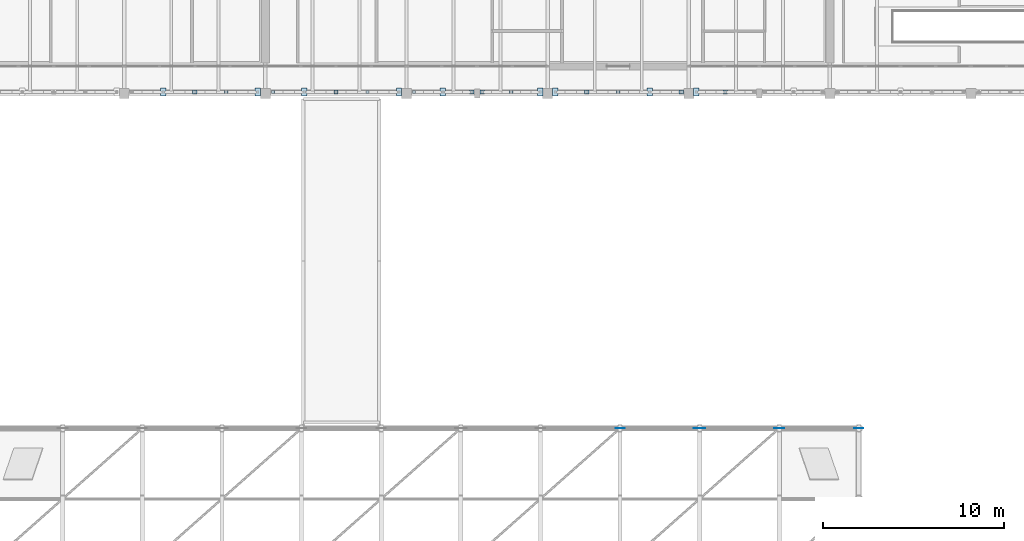
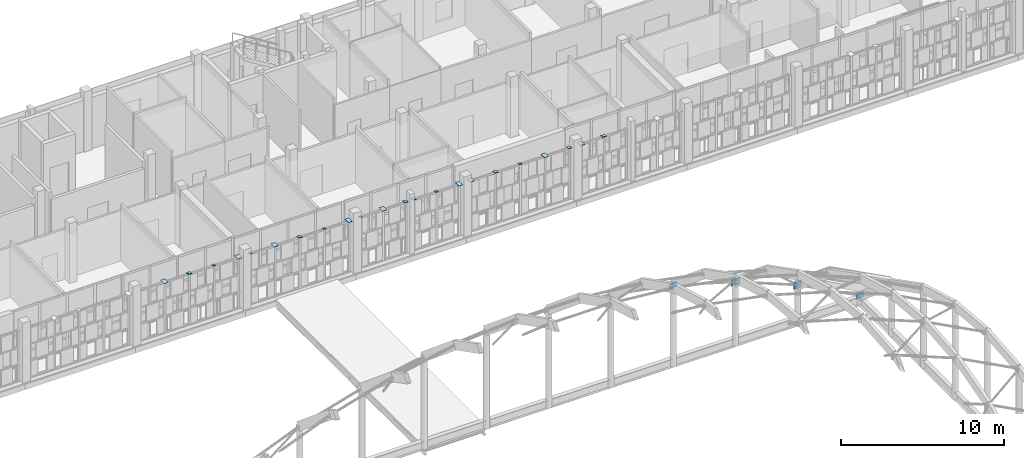
# One storey, part 82 of 119: 26 plates.
"""IFC4 building model written with IfcOpenShell, lengths in metres."""

from ifc_helpers import new_model, si_unit, direction, frame, origin, origin_2d, place, context, subcontext, project, spatial, rectangle, extrude, material, layer, layer_set, type_object, element, save


model = new_model("IFC4")

# Units and contexts
model_context = context("Model", 3, precision=1e-05, world=origin(), true_north=direction((0.0, 1.0)))
body_context = subcontext(model_context, "Body", "Model", "MODEL_VIEW")
ifc_project = project(units=[si_unit("LENGTHUNIT", "METRE"), si_unit("AREAUNIT", "SQUARE_METRE"), si_unit("VOLUMEUNIT", "CUBIC_METRE"), si_unit("PLANEANGLEUNIT", "RADIAN"), si_unit("MASSUNIT", "GRAM", prefix="KILO")], contexts=[model_context])

# Site, building, storey
site_placement = place(None, origin())
site = spatial("IfcSite", under=ifc_project, at=site_placement, CompositionType="ELEMENT")
building_placement = place(site_placement, origin())
building = spatial("IfcBuilding", under=site, at=building_placement, Name="Celorna Specialist Clinic", CompositionType="ELEMENT")
storey_placement = place(building_placement, frame((0.0, 0.0, 9.60009765625)))
storey = spatial("IfcBuildingStorey", under=building, at=storey_placement, Name="L02", CompositionType="ELEMENT", Elevation=9.60009765625)

# Plates
ifc_material = material(Name="Steel S355", Category="steel")
ifc_layer_1 = layer(ifc_material, 0.011962890625, Name="Steel S355")
ifc_layer_set_1 = layer_set([ifc_layer_1], Name="Steel S355")
plate_type_1 = type_object("IfcPlateType", Name="EP-06", PredefinedType="SHEET", material=ifc_layer_set_1)
for number, where, z_axis, x_axis, name in (
    (1, (68.04248046875, 96.580078125, 3.83984375), (0.0, 0.0, 1.0), (1.0, 0.0, 0.0), "Screen post cap plate EP-06 #1041"),
    (2, (70.614990234375, 96.580078125, 3.83984375), (0.0, 0.0, 1.0), (1.0, 0.0, 0.0), "Screen post cap plate EP-06 #1059"),
    (3, (75.842529296875, 96.580078125, 3.83984375), (0.0, 0.0, 1.0), (1.0, 0.0, 0.0), "Screen post cap plate EP-06 #1062"),
    (4, (78.4150390625, 96.580078125, 3.83984375), (0.0, 0.0, 1.0), (1.0, 0.0, 0.0), "Screen post cap plate EP-06 #1080"),
    (5, (83.78759765625, 96.580078125, 3.83984375), (0.0, 0.0, 1.0), (1.0, 0.0, 0.0), "Screen post cap plate EP-06 #1092"),
    (6, (89.699951171875, 96.580078125, 3.83984375), (0.0, 0.0, 1.0), (1.0, 0.0, 0.0), "Screen post cap plate EP-06 #1104"),
):
    element("IfcPlate", number, at=place(storey_placement, frame(where, z_axis=z_axis, x_axis=x_axis)), inside=storey, type_object=plate_type_1, Name=name, PredefinedType="SHEET", context=body_context, shape_type="SweptSolid", body=[
        extrude(rectangle(XDim=0.179931640625, YDim=0.179931640625, at=origin_2d()), origin(), (0.0, 0.0, 1.0), 0.011962890625),
    ])
ifc_layer_2 = layer(ifc_material, 0.01611328125, Name="Steel S355")
ifc_layer_set_2 = layer_set([ifc_layer_2], Name="Steel S355")
plate_type_2 = type_object("IfcPlateType", Name="EP-07", PredefinedType="SHEET", material=ifc_layer_set_2)
for number, where, z_axis, x_axis, name in (
    (7, (64.5576171875, 96.580078125, 3.83984375), (0.0, 0.0, 1.0), (1.0, 0.0, 0.0), "Screen post cap plate EP-07 #1039"),
    (8, (69.784912109375, 96.580078125, 3.83984375), (0.0, 0.0, 1.0), (1.0, 0.0, 0.0), "Screen post cap plate EP-07 #1042"),
    (9, (72.357421875, 96.580078125, 3.83984375), (0.0, 0.0, 1.0), (1.0, 0.0, 0.0), "Screen post cap plate EP-07 #1060"),
    (10, (77.5849609375, 96.580078125, 3.83984375), (0.0, 0.0, 1.0), (1.0, 0.0, 0.0), "Screen post cap plate EP-07 #1063"),
    (11, (80.012451171875, 96.580078125, 3.83984375), (0.0, 0.0, 1.0), (1.0, 0.0, 0.0), "Screen post cap plate EP-07 #1081"),
    (12, (85.385009765625, 96.580078125, 3.83984375), (0.0, 0.0, 1.0), (1.0, 0.0, 0.0), "Screen post cap plate EP-07 #1093"),
    (13, (86.215087890625, 96.580078125, 3.83984375), (0.0, 0.0, 1.0), (1.0, 0.0, 0.0), "Screen post cap plate EP-07 #1102"),
    (14, (91.4423828125, 96.580078125, 3.83984375), (0.0, 0.0, 1.0), (1.0, 0.0, 0.0), "Screen post cap plate EP-07 #1105"),
    (15, (94.014892578125, 96.580078125, 3.83984375), (0.0, 0.0, 1.0), (1.0, 0.0, 0.0), "Screen post cap plate EP-07 #1123"),
):
    element("IfcPlate", number, at=place(storey_placement, frame(where, z_axis=z_axis, x_axis=x_axis)), inside=storey, type_object=plate_type_2, Name=name, PredefinedType="SHEET", context=body_context, shape_type="SweptSolid", body=[
        extrude(rectangle(XDim=0.300048828125, YDim=0.43994140625, at=origin_2d()), origin(), (0.0, 0.0, 1.0), 0.01611328125),
    ])
ifc_layer_3 = layer(ifc_material, 0.013916015625, Name="Steel S355")
ifc_layer_set_3 = layer_set([ifc_layer_3], Name="Steel S355")
plate_type_3 = type_object("IfcPlateType", Name="EP-08", PredefinedType="SHEET", material=ifc_layer_set_3)
for number, where, z_axis, x_axis, name in (
    (16, (66.300048828125, 96.580078125, 3.83984375), (0.0, 0.0, 1.0), (1.0, 0.0, 0.0), "Screen post cap plate EP-08 #1040"),
    (17, (74.10009765625, 96.580078125, 3.83984375), (0.0, 0.0, 1.0), (1.0, 0.0, 0.0), "Screen post cap plate EP-08 #1061"),
    (18, (81.610107421875, 96.580078125, 3.83984375), (0.0, 0.0, 1.0), (1.0, 0.0, 0.0), "Screen post cap plate EP-08 #1082"),
    (19, (82.18994140625, 96.580078125, 3.83984375), (0.0, 0.0, 1.0), (1.0, 0.0, 0.0), "Screen post cap plate EP-08 #1091"),
    (20, (87.95751953125, 96.580078125, 3.83984375), (0.0, 0.0, 1.0), (1.0, 0.0, 0.0), "Screen post cap plate EP-08 #1103"),
    (21, (93.18505859375, 96.580078125, 3.83984375), (0.0, 0.0, 1.0), (1.0, 0.0, 0.0), "Screen post cap plate EP-08 #1106"),
    (22, (95.612548828125, 96.580078125, 3.83984375), (0.0, 0.0, 1.0), (1.0, 0.0, 0.0), "Screen post cap plate EP-08 #1124"),
):
    element("IfcPlate", number, at=place(storey_placement, frame(where, z_axis=z_axis, x_axis=x_axis)), inside=storey, type_object=plate_type_3, Name=name, PredefinedType="SHEET", context=body_context, shape_type="SweptSolid", body=[
        extrude(rectangle(XDim=0.239990234375, YDim=0.239990234375, at=origin_2d()), origin(), (0.0, 0.0, 1.0), 0.013916015625),
    ])
ifc_layer_4 = layer(ifc_material, 0.02197265625, Name="Steel S355")
ifc_layer_set_4 = layer_set([ifc_layer_4], Name="Steel S355")
plate_type_4 = type_object("IfcPlateType", Name="GP-03", PredefinedType="USERDEFINED", material=ifc_layer_set_4)
plate_1_placement = place(storey_placement, frame((94.199951171875, 78.0, 4.46533203125), z_axis=(0.0, 0.0, 1.0), x_axis=(1.0, 0.0, 0.0)))
element("IfcPlate", 23, at=plate_1_placement, inside=storey, type_object=plate_type_4, Name="GSH-V1 gridshell steel node shoe GN-10", ObjectType="GUSSET PLATE", PredefinedType="USERDEFINED", context=body_context, shape_type="SweptSolid", body=[
    extrude(rectangle(XDim=0.639892578125, YDim=0.02197265625, at=origin_2d()), origin(), (0.0, 0.0, 1.0), 0.47998046875),
])
ifc_layer_5 = layer(ifc_material, 0.02001953125, Name="Steel S355")
ifc_layer_set_5 = layer_set([ifc_layer_5], Name="Steel S355")
plate_type_5 = type_object("IfcPlateType", Name="GP-04", PredefinedType="USERDEFINED", material=ifc_layer_set_5)
plate_2_placement = place(storey_placement, frame((98.60009765625, 78.0, 2.659423828125), z_axis=(0.0, 0.0, 1.0), x_axis=(1.0, 0.0, 0.0)))
element("IfcPlate", 24, at=plate_2_placement, inside=storey, type_object=plate_type_5, Name="GSH-V1 gridshell steel node shoe GN-11", ObjectType="GUSSET PLATE", PredefinedType="USERDEFINED", context=body_context, shape_type="SweptSolid", body=[
    extrude(rectangle(XDim=0.5400390625, YDim=0.02001953125, at=origin_2d()), origin(), (0.0, 0.0, 1.0), 0.5400390625),
])
ifc_layer_6 = layer(ifc_material, 0.02001953125, Name="Steel S355")
ifc_layer_set_6 = layer_set([ifc_layer_6], Name="Steel S355")
plate_type_6 = type_object("IfcPlateType", Name="GP-08", PredefinedType="USERDEFINED", material=ifc_layer_set_6)
for number, where, z_axis, x_axis, name in (
    (25, (89.800048828125, 78.0, 5.7919921875), (0.0, 0.0, 1.0), (1.0, 0.0, 0.0), "GSH-V1 gridshell steel node shoe GN-09"),
    (26, (103.0, 78.0, 0.39990234375), (0.0, 0.0, 1.0), (1.0, 0.0, 0.0), "GSH-V1 gridshell steel node shoe GN-12"),
):
    element("IfcPlate", number, at=place(storey_placement, frame(where, z_axis=z_axis, x_axis=x_axis)), inside=storey, type_object=plate_type_6, Name=name, ObjectType="GUSSET PLATE", PredefinedType="USERDEFINED", context=body_context, shape_type="SweptSolid", body=[
        extrude(rectangle(XDim=0.5, YDim=0.02001953125, at=origin_2d()), origin(), (0.0, 0.0, 1.0), 0.39990234375),
    ])

save(model, "model.ifc")
